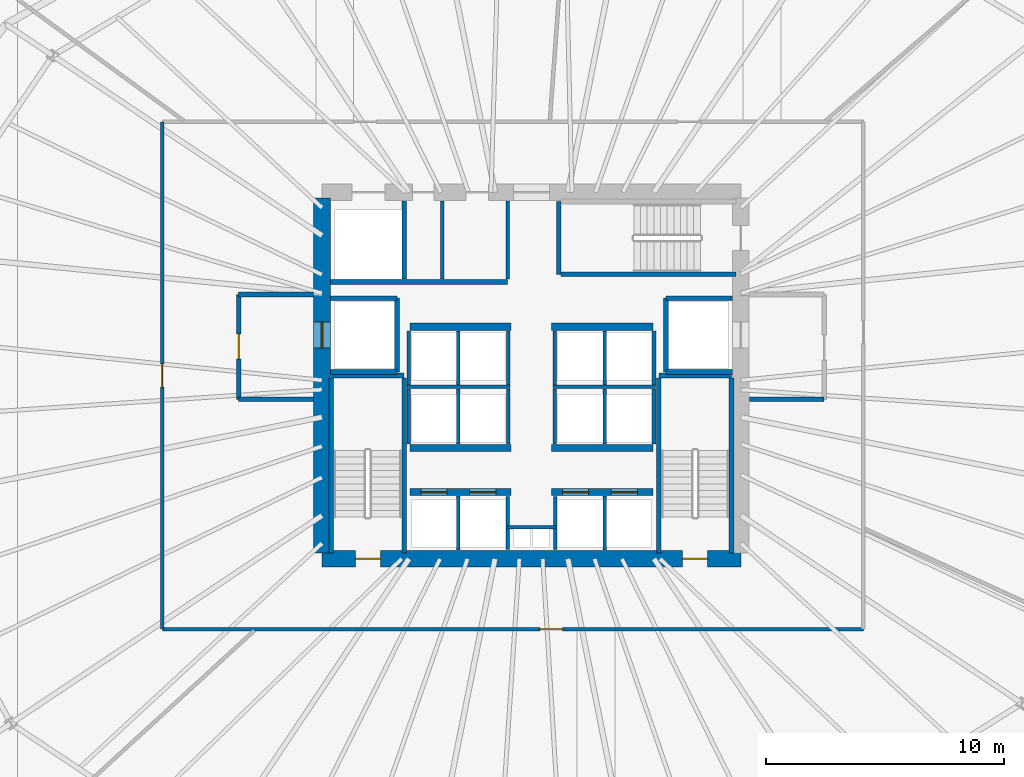
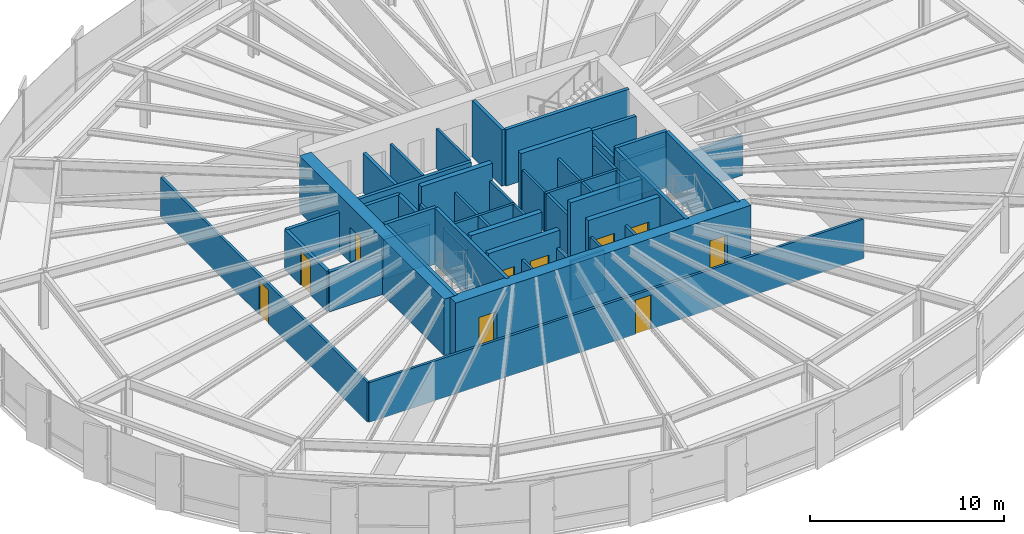
# One storey, part 31 of 38: 51 walls, 10 doors, 10 openings.
"""IFC4 building model written with IfcOpenShell, lengths in metres."""

import ifcopenshell
import ifcopenshell.guid

model = None  # the IFC model being written
_history = None  # IfcOwnerHistory: only IFC2X3 demands one
_inside = {}  # id of a spatial element -> (the spatial element, [elements in it])
_under = {}  # id of a project, library or spatial element -> (it, [spatial elements below it])
_declared = {}  # id of a project -> (the project, [libraries it declares])
_typed = {}  # id of a type object -> (the type object, [elements of that type])
_made_of = {}  # id of a material, layer set ... -> (it, [elements and type objects made of it])


def new_model(schema):
    """Start an empty IFC model of exactly this schema.

    Asked for "IFC4X3", IfcOpenShell would pick the latest addendum, in which some entities
    have other attributes; the version numbers below select the first issue.
    IFC2X3 requires an IfcOwnerHistory on every rooted entity: one is made here for all.
    """
    global model, _history
    if schema == "IFC4X3":
        model = ifcopenshell.file(schema_version=(4, 3, 0, 0))
    else:
        model = ifcopenshell.file(schema=schema)
    _inside.clear()
    _under.clear()
    _declared.clear()
    _typed.clear()
    _made_of.clear()
    _history = None
    if model.schema == "IFC2X3":
        org = make("IfcOrganization", Name="unknown")
        user = make(
            "IfcPersonAndOrganization",
            ThePerson=make("IfcPerson", FamilyName="unknown"),
            TheOrganization=org,
        )
        app = make(
            "IfcApplication",
            ApplicationDeveloper=org,
            Version="unknown",
            ApplicationFullName="unknown",
            ApplicationIdentifier="unknown",
        )
        _history = make(
            "IfcOwnerHistory",
            OwningUser=user,
            OwningApplication=app,
            ChangeAction="ADDED",
            CreationDate=0,
        )
    return model


def make(cls, **values):
    """One entity of the class cls with the attributes given. An attribute that is None is left unset."""
    return model.create_entity(
        cls, **{name: value for name, value in values.items() if value is not None}
    )


def rooted(cls, **values):
    """An entity with a GlobalId (a new one), such as an element, a storey or a relation."""
    return make(cls, GlobalId=ifcopenshell.guid.new(), OwnerHistory=_history, **values)


def si_unit(unit_type, name, prefix=None):
    """IfcSIUnit, for example si_unit("LENGTHUNIT", "METRE", prefix="MILLI")."""
    return make("IfcSIUnit", UnitType=unit_type, Prefix=prefix, Name=name)


def assignment(units):
    """IfcUnitAssignment: the units of a project."""
    return None if units is None else make("IfcUnitAssignment", Units=units)


def point(xyz):
    """IfcCartesianPoint."""
    return None if xyz is None else make("IfcCartesianPoint", Coordinates=xyz)


def direction(xyz):
    """IfcDirection."""
    return None if xyz is None else make("IfcDirection", DirectionRatios=xyz)


def frame(location, z_axis=None, x_axis=None):
    """IfcAxis2Placement3D, a coordinate frame: its origin and axes. An axis left out is left unset."""
    return make(
        "IfcAxis2Placement3D",
        Location=point(location),
        Axis=direction(z_axis),
        RefDirection=direction(x_axis),
    )


def frame_2d(location, x_axis=None):
    """IfcAxis2Placement2D, a coordinate frame in the plane: its origin and x axis."""
    return make(
        "IfcAxis2Placement2D", Location=point(location), RefDirection=direction(x_axis)
    )


def origin():
    """The frame at (0, 0, 0) with its axes left unset."""
    return frame((0.0, 0.0, 0.0))


def place(relative_to, where):
    """IfcLocalPlacement: puts the frame where relative to a parent placement (None: the world)."""
    return make(
        "IfcLocalPlacement", PlacementRelTo=relative_to, RelativePlacement=where
    )


def context(
    kind, dimensions, precision=None, world=None, true_north=None, identifier=None
):
    """IfcGeometricRepresentationContext, for example the 3D "Model" context."""
    return make(
        "IfcGeometricRepresentationContext",
        ContextIdentifier=identifier,
        ContextType=kind,
        CoordinateSpaceDimension=dimensions,
        Precision=precision,
        WorldCoordinateSystem=world,
        TrueNorth=true_north,
    )


def subcontext(parent, identifier, kind, view, scale=None):
    """IfcGeometricRepresentationSubContext, for example "Body" below "Model"."""
    return make(
        "IfcGeometricRepresentationSubContext",
        ContextIdentifier=identifier,
        ContextType=kind,
        ParentContext=parent,
        TargetScale=scale,
        TargetView=view,
    )


def project(units=None, contexts=None):
    """IfcProject with its units and contexts."""
    return rooted(
        "IfcProject",
        Name="project",
        RepresentationContexts=contexts,
        UnitsInContext=assignment(units),
    )


def spatial(cls, under=None, at=None, **own):
    """A site, building, storey or space (cls), placed at a placement, below another one or the project."""
    s = rooted(cls, ObjectPlacement=at, **own)
    if under is not None:
        _under.setdefault(under.id(), (under, []))[1].append(s)
    return s


def profile(cls, at=None, kind="AREA", **sizes):
    """A parametric profile (cls). Its sizes go by their IFC names, for example OverallWidth=200.0."""
    return make(cls, ProfileType=kind, Position=at, **sizes)


def rectangle(**sizes):
    """IfcRectangleProfileDef."""
    return profile("IfcRectangleProfileDef", **sizes)


def extrude(swept, where, along, depth):
    """IfcExtrudedAreaSolid: the profile swept, set in the frame where, extruded along a direction by depth."""
    return make(
        "IfcExtrudedAreaSolid",
        SweptArea=swept,
        Position=where,
        ExtrudedDirection=direction(along),
        Depth=depth,
    )


def shape(context_of_items, identifier, shape_type, items):
    """IfcShapeRepresentation: the items that make up one representation, for example the "Body"."""
    return make(
        "IfcShapeRepresentation",
        ContextOfItems=context_of_items,
        RepresentationIdentifier=identifier,
        RepresentationType=shape_type,
        Items=items,
    )


def source(mapping_origin, context_of_items, identifier, shape_type, items):
    """IfcRepresentationMap: a shape defined once, which mapped items show again and again."""
    return make(
        "IfcRepresentationMap",
        MappingOrigin=mapping_origin,
        MappedRepresentation=shape(context_of_items, identifier, shape_type, items),
    )


def transform(
    local_origin,
    x_axis=None,
    y_axis=None,
    z_axis=None,
    scale=None,
    scale2=None,
    scale3=None,
    uniform=True,
):
    """IfcCartesianTransformationOperator3D, or its non-uniform kind. x_axis, y_axis, z_axis: its Axis1, 2, 3."""
    if uniform:
        return make(
            "IfcCartesianTransformationOperator3D",
            Axis1=direction(x_axis),
            Axis2=direction(y_axis),
            LocalOrigin=point(local_origin),
            Scale=scale,
            Axis3=direction(z_axis),
        )
    return make(
        "IfcCartesianTransformationOperator3DnonUniform",
        Axis1=direction(x_axis),
        Axis2=direction(y_axis),
        LocalOrigin=point(local_origin),
        Scale=scale,
        Axis3=direction(z_axis),
        Scale2=scale2,
        Scale3=scale3,
    )


def mapped(mapping_source, mapping_target):
    """IfcMappedItem: shows the shape of a source again, moved by a transform."""
    return make(
        "IfcMappedItem", MappingSource=mapping_source, MappingTarget=mapping_target
    )


def material(Name=None, Category=None):
    """IfcMaterial."""
    return make("IfcMaterial", Name=Name, Category=Category)


def layer(
    of_material, thickness, ventilated=None, Name=None, Category=None, Priority=None
):
    """IfcMaterialLayer: one layer of a wall or slab, of a material (None: an air gap)."""
    return make(
        "IfcMaterialLayer",
        Material=of_material,
        LayerThickness=thickness,
        IsVentilated=ventilated,
        Name=Name,
        Category=Category,
        Priority=Priority,
    )


def layer_set(layers, Name=None):
    """IfcMaterialLayerSet."""
    return make("IfcMaterialLayerSet", MaterialLayers=layers, LayerSetName=Name)


def made_of(thing, what):
    """Note that an element or type object is made of a material, layer set ...; save() writes the relation."""
    if what is not None:
        _made_of.setdefault(what.id(), (what, []))[1].append(thing)
    return thing


def type_object(cls, material=None, **own):
    """A type object (cls), such as IfcWallType, which elements share."""
    return made_of(rooted(cls, **own), material)


def element(
    cls,
    number,
    at=None,
    inside=None,
    cuts=None,
    type_object=None,
    material=None,
    context=None,
    identifier="Body",
    shape_type=None,
    held_by="IfcProductDefinitionShape",
    body=None,
    shapes=None,
    **own,
):
    """One element of the class cls, such as IfcWall. Its Tag is "e" and its number.

    at: its placement. inside: the storey or other place that contains it. cuts: it is an
    opening in that element (IfcRelVoidsElement). A single representation is given by context,
    identifier, shape_type and body (its items); several are given by shapes. held_by: the class
    of the entity that holds the representations. save() writes the other relations.
    """
    e = rooted(cls, Tag="e%d" % number, ObjectPlacement=at, **own)
    if body is not None:
        shapes = [shape(context, identifier, shape_type, body)]
    if shapes is not None:
        e.Representation = make(held_by, Representations=shapes)
    if inside is not None:
        _inside.setdefault(inside.id(), (inside, []))[1].append(e)
    if cuts is not None:
        rooted(
            "IfcRelVoidsElement", RelatingBuildingElement=cuts, RelatedOpeningElement=e
        )
    if type_object is not None:
        _typed.setdefault(type_object.id(), (type_object, []))[1].append(e)
    return made_of(e, material)


def fill(opening, filler):
    """IfcRelFillsElement: the door or window that sits in an opening."""
    return rooted(
        "IfcRelFillsElement",
        RelatingOpeningElement=opening,
        RelatedBuildingElement=filler,
    )


def aggregate(whole, parts):
    """IfcRelAggregates: a whole, such as a stair, and the parts it consists of."""
    return rooted("IfcRelAggregates", RelatingObject=whole, RelatedObjects=parts)


def save(model, path):
    """Write the relations noted so far, then the file.

    IfcRelAggregates (storeys below a building ...), IfcRelContainedInSpatialStructure (elements
    in a storey), IfcRelDefinesByType, IfcRelAssociatesMaterial and IfcRelDeclares: one each for
    every whole, place, type object, material and project.
    """
    for whole, parts in _under.values():
        aggregate(whole, parts)
    for where, things in _inside.values():
        rooted(
            "IfcRelContainedInSpatialStructure",
            RelatedElements=things,
            RelatingStructure=where,
        )
    for kind, things in _typed.values():
        rooted("IfcRelDefinesByType", RelatedObjects=things, RelatingType=kind)
    for what, things in _made_of.values():
        rooted("IfcRelAssociatesMaterial", RelatedObjects=things, RelatingMaterial=what)
    for by, libraries in _declared.values():
        rooted("IfcRelDeclares", RelatingContext=by, RelatedDefinitions=libraries)
    model.write(path)


model = new_model("IFC4")

# Units and contexts
model_context = context("Model", 3, precision=1e-05, world=origin(), true_north=direction((0.0, 1.0)))
body_context = subcontext(model_context, "Body", "Model", "MODEL_VIEW")
ifc_project = project(units=[si_unit("LENGTHUNIT", "METRE"), si_unit("AREAUNIT", "SQUARE_METRE"), si_unit("VOLUMEUNIT", "CUBIC_METRE"), si_unit("PLANEANGLEUNIT", "RADIAN"), si_unit("MASSUNIT", "GRAM", prefix="KILO"), si_unit("THERMODYNAMICTEMPERATUREUNIT", "KELVIN")], contexts=[model_context])

# Site, building, storey
site_placement = place(None, origin())
site = spatial("IfcSite", under=ifc_project, at=site_placement, CompositionType="ELEMENT")
building_placement = place(site_placement, origin())
building = spatial("IfcBuilding", under=site, at=building_placement, Name="Kethvar Cultural Tower", CompositionType="ELEMENT")
storey_placement = place(building_placement, frame((0.0, 0.0, 63.800048828125)))
storey = spatial("IfcBuildingStorey", under=building, at=storey_placement, Name="L15", CompositionType="ELEMENT", Elevation=63.800048828125)

# Wall, openings, doors
ifc_material_1 = material(Name="Concrete C60/75", Category="concrete")
ifc_layer_1 = layer(ifc_material_1, 0.699951171875, Name="Concrete C60/75", Category="concrete")
ifc_layer_set_1 = layer_set([ifc_layer_1], Name="Concrete C60/75 (700 mm)")
wall_type_1 = type_object("IfcWallType", Name="WL-CORE-700", PredefinedType="SHEAR", material=ifc_layer_set_1)
wall_1_placement = place(storey_placement, frame((38.0, 20.10009765625, 0.0), z_axis=(0.0, 0.0, 1.0), x_axis=(1.0, 0.0, 0.0)))
wall_1 = element("IfcWall", 1, at=wall_1_placement, inside=storey, type_object=wall_type_1, Name="L15 Core Shear Wall S", PredefinedType="SHEAR", context=body_context, shape_type="SweptSolid", body=[
    extrude(rectangle(XDim=17.60009765625, YDim=0.699951171875, at=frame_2d((8.800048828125, 0.0))), origin(), (0.0, 0.0, 1.0), 3.550048828125),
])
opening_1_placement = place(wall_1_placement, frame((1.39990234375, 0.0, 0.0)))
opening_1 = element("IfcOpeningElement", 2, at=opening_1_placement, cuts=wall_1, Name="Opening D-L15-S1", PredefinedType="OPENING", context=body_context, shape_type="SweptSolid", body=[
    extrude(rectangle(XDim=1.050048828125, YDim=2.14990234375, at=frame_2d((0.52490234375, 1.074951171875))), frame((0.0, 0.35986328125, 0.0), z_axis=(0.0, -1.0, 0.0), x_axis=(1.0, 0.0, 0.0)), (0.0, 0.0, 1.0), 0.719970703125),
])
opening_2_placement = place(wall_1_placement, frame((15.14990234375, 0.0, 0.0)))
opening_2 = element("IfcOpeningElement", 3, at=opening_2_placement, cuts=wall_1, Name="Opening D-L15-ST2", PredefinedType="OPENING", context=body_context, shape_type="SweptSolid", body=[
    extrude(rectangle(XDim=1.050048828125, YDim=2.14990234375, at=frame_2d((0.52490234375, 1.074951171875))), frame((0.0, 0.35986328125, 0.0), z_axis=(0.0, -1.0, 0.0), x_axis=(1.0, 0.0, 0.0)), (0.0, 0.0, 1.0), 0.719970703125),
])
ifc_material_2 = material(Name="Steel S355J2", Category="steel")
door_type_1 = type_object("IfcDoorType", Name="DR-FD60-1050", OperationType="NOTDEFINED", PredefinedType="DOOR", material=ifc_material_2)
shared_shape_1 = source(origin(), body_context, "Body", "SweptSolid", [
    extrude(rectangle(XDim=1.050048828125, YDim=2.14990234375, at=frame_2d((0.52490234375, 1.074951171875))), frame((0.0, 0.02490234375, 0.0), z_axis=(0.0, -1.0, 0.0), x_axis=(1.0, 0.0, 0.0)), (0.0, 0.0, 1.0), 0.050048828125),
])
door_1_placement = place(opening_1_placement, origin())
door_1 = element("IfcDoor", 4, at=door_1_placement, inside=storey, type_object=door_type_1, Name="L15 Exit Stair 1 Door", OperationType="SINGLE_SWING_LEFT", OverallHeight=2.14990234375, OverallWidth=1.050048828125, PredefinedType="DOOR", context=body_context, shape_type="MappedRepresentation", body=[
    mapped(shared_shape_1, transform((0.0, 0.0, 0.0), scale=1.0)),
])
fill(opening_1, door_1)
door_2_placement = place(opening_2_placement, origin())
door_2 = element("IfcDoor", 5, at=door_2_placement, inside=storey, type_object=door_type_1, Name="L15 Exit Stair 2 Door", OperationType="SINGLE_SWING_RIGHT", OverallHeight=2.14990234375, OverallWidth=1.050048828125, PredefinedType="DOOR", context=body_context, shape_type="MappedRepresentation", body=[
    mapped(shared_shape_1, transform((0.0, 0.0, 0.0), scale=1.0)),
])
fill(opening_2, door_2)

# Wall, opening, door
wall_2_placement = place(storey_placement, frame((38.0, 35.260009765625, 0.0), z_axis=(0.0, 0.0, 1.0), x_axis=(0.0, -1.0, 0.0)))
wall_2 = element("IfcWall", 6, at=wall_2_placement, inside=storey, type_object=wall_type_1, Name="L15 Core Shear Wall W", PredefinedType="SHEAR", context=body_context, shape_type="SweptSolid", body=[
    extrude(rectangle(XDim=14.919921875, YDim=0.699951171875, at=frame_2d((7.4599609375, 0.0))), origin(), (0.0, 0.0, 1.0), 3.550048828125),
])
opening_3_placement = place(wall_2_placement, frame((5.2099609375, 0.0, 0.0)))
opening_3 = element("IfcOpeningElement", 7, at=opening_3_placement, cuts=wall_2, Name="Opening LD-1", PredefinedType="OPENING", context=body_context, shape_type="SweptSolid", body=[
    extrude(rectangle(XDim=1.10009765625, YDim=2.199951171875, at=frame_2d((0.550048828125, 1.10009765625))), frame((0.0, 0.35986328125, 0.0), z_axis=(0.0, -1.0, 0.0), x_axis=(1.0, 0.0, 0.0)), (0.0, 0.0, 1.0), 0.719970703125),
])
door_type_2 = type_object("IfcDoorType", Name="DR-LIFT-SLIDE-1100", OperationType="NOTDEFINED", PredefinedType="DOOR", material=ifc_material_2)
shared_shape_2 = source(origin(), body_context, "Body", "SweptSolid", [
    extrude(rectangle(XDim=1.10009765625, YDim=2.199951171875, at=frame_2d((0.550048828125, 1.10009765625))), frame((0.0, 0.02490234375, 0.0), z_axis=(0.0, -1.0, 0.0), x_axis=(1.0, 0.0, 0.0)), (0.0, 0.0, 1.0), 0.050048828125),
])
door_3_placement = place(opening_3_placement, origin())
door_3 = element("IfcDoor", 8, at=door_3_placement, inside=storey, type_object=door_type_2, Name="L15 Firefighting Lift Landing Door FFL-01", OperationType="SLIDING_TO_LEFT", OverallHeight=2.199951171875, OverallWidth=1.10009765625, PredefinedType="DOOR", context=body_context, shape_type="MappedRepresentation", body=[
    mapped(shared_shape_2, transform((0.0, 0.0, 0.0), scale=1.0)),
])
fill(opening_3, door_3)

# Walls
ifc_material_3 = material(Name="Gypsum Fireboard Partition")
ifc_layer_2 = layer(ifc_material_3, 0.14990234375, Name="Gypsum Fireboard Partition")
ifc_layer_set_2 = layer_set([ifc_layer_2], Name="Gypsum Fireboard Partition (150 mm)")
wall_type_2 = type_object("IfcWallType", Name="WL-FIRE-150", PredefinedType="PARTITIONING", material=ifc_layer_set_2)
wall_3_placement = place(storey_placement, frame((45.800048828125, 21.419921875, 0.0), z_axis=(0.0, 0.0, 1.0), x_axis=(1.0, 0.0, 0.0)))
element("IfcWall", 9, at=wall_3_placement, inside=storey, type_object=wall_type_2, Name="L15 Core Riser Wall", PredefinedType="PARTITIONING", context=body_context, shape_type="SweptSolid", body=[
    extrude(rectangle(XDim=2.0, YDim=0.14990234375, at=frame_2d((1.0, 0.0))), origin(), (0.0, 0.0, 1.0), 2.5048828125),
])
for number, where, z_axis, x_axis, name in (
    (10, (45.800048828125, 20.47998046875, 0.0), (0.0, 0.0, 1.0), (0.0, 1.0, 0.0), "L15 Core Riser West Wall"),
    (11, (47.800048828125, 20.47998046875, 0.0), (0.0, 0.0, 1.0), (0.0, 1.0, 0.0), "L15 Core Riser East Wall"),
):
    element("IfcWall", number, at=place(storey_placement, frame(where, z_axis=z_axis, x_axis=x_axis)), inside=storey, type_object=wall_type_2, Name=name, PredefinedType="PARTITIONING", context=body_context, shape_type="SweptSolid", body=[
        extrude(rectangle(XDim=2.239990234375, YDim=0.14990234375, at=frame_2d((1.1201171875, 0.0))), origin(), (0.0, 0.0, 1.0), 2.5048828125),
    ])
for number, where, z_axis, x_axis, name in (
    (12, (43.72509765625, 20.4599609375, 0.0), (0.0, 0.0, 1.0), (0.0, 1.0, 0.0), "L15 Low-Rise Lift Shaft Divider W"),
    (13, (49.875, 20.4599609375, 0.0), (0.0, 0.0, 1.0), (0.0, 1.0, 0.0), "L15 Low-Rise Lift Shaft Divider E"),
):
    element("IfcWall", number, at=place(storey_placement, frame(where, z_axis=z_axis, x_axis=x_axis)), inside=storey, type_object=wall_type_2, Name=name, PredefinedType="PARTITIONING", context=body_context, shape_type="SweptSolid", body=[
        extrude(rectangle(XDim=2.27001953125, YDim=0.14990234375, at=frame_2d((1.135009765625, 0.0))), origin(), (0.0, 0.0, 1.0), 2.5048828125),
    ])
wall_4_placement = place(storey_placement, frame((41.580078125, 27.324951171875, 0.0), z_axis=(0.0, 0.0, 1.0), x_axis=(1.0, 0.0, 0.0)))
element("IfcWall", 14, at=wall_4_placement, inside=storey, type_object=wall_type_2, Name="L15 Mid-High Lift Shaft Back Wall W", PredefinedType="PARTITIONING", context=body_context, shape_type="SweptSolid", body=[
    extrude(rectangle(XDim=4.31982421875, YDim=0.14990234375, at=frame_2d((2.159912109375, 0.0))), origin(), (0.0, 0.0, 1.0), 2.5048828125),
])
wall_5_placement = place(storey_placement, frame((47.699951171875, 27.324951171875, 0.0), z_axis=(0.0, 0.0, 1.0), x_axis=(1.0, 0.0, 0.0)))
element("IfcWall", 15, at=wall_5_placement, inside=storey, type_object=wall_type_2, Name="L15 Mid-High Lift Shaft Back Wall E", PredefinedType="PARTITIONING", context=body_context, shape_type="SweptSolid", body=[
    extrude(rectangle(XDim=4.320068359375, YDim=0.14990234375, at=frame_2d((2.16015625, 0.0))), origin(), (0.0, 0.0, 1.0), 2.5048828125),
])
for number, where, z_axis, x_axis, name in (
    (16, (41.64990234375, 24.919921875, 0.0), (0.0, 0.0, 1.0), (0.0, 1.0, 0.0), "L15 Mid-Rise Lift Shaft Outer Wall W"),
    (17, (43.72509765625, 24.919921875, 0.0), (0.0, 0.0, 1.0), (0.0, 1.0, 0.0), "L15 Mid-Rise Lift Shaft Divider W"),
    (18, (45.824951171875, 24.919921875, 0.0), (0.0, 0.0, 1.0), (0.0, 1.0, 0.0), "L15 Mid-Rise Lift Shaft Concourse Wall W"),
    (19, (47.77490234375, 24.919921875, 0.0), (0.0, 0.0, 1.0), (0.0, 1.0, 0.0), "L15 Mid-Rise Lift Shaft Concourse Wall E"),
    (20, (49.875, 24.919921875, 0.0), (0.0, 0.0, 1.0), (0.0, 1.0, 0.0), "L15 Mid-Rise Lift Shaft Divider E"),
    (21, (51.949951171875, 24.919921875, 0.0), (0.0, 0.0, 1.0), (0.0, 1.0, 0.0), "L15 Mid-Rise Lift Shaft Outer Wall E"),
):
    element("IfcWall", number, at=place(storey_placement, frame(where, z_axis=z_axis, x_axis=x_axis)), inside=storey, type_object=wall_type_2, Name=name, PredefinedType="PARTITIONING", context=body_context, shape_type="SweptSolid", body=[
        extrude(rectangle(XDim=2.320068359375, YDim=0.14990234375, at=frame_2d((1.16015625, 0.0))), origin(), (0.0, 0.0, 1.0), 2.5048828125),
    ])
for number, where, z_axis, x_axis, name in (
    (22, (41.64990234375, 27.409912109375, 0.0), (0.0, 0.0, 1.0), (0.0, 1.0, 0.0), "L15 High-Rise Lift Shaft Outer Wall W"),
    (23, (43.72509765625, 27.409912109375, 0.0), (0.0, 0.0, 1.0), (0.0, 1.0, 0.0), "L15 High-Rise Lift Shaft Divider W"),
    (24, (45.824951171875, 27.409912109375, 0.0), (0.0, 0.0, 1.0), (0.0, 1.0, 0.0), "L15 High-Rise Lift Shaft Concourse Wall W"),
    (25, (47.77490234375, 27.409912109375, 0.0), (0.0, 0.0, 1.0), (0.0, 1.0, 0.0), "L15 High-Rise Lift Shaft Concourse Wall E"),
    (26, (49.875, 27.409912109375, 0.0), (0.0, 0.0, 1.0), (0.0, 1.0, 0.0), "L15 High-Rise Lift Shaft Divider E"),
    (27, (51.949951171875, 27.409912109375, 0.0), (0.0, 0.0, 1.0), (0.0, 1.0, 0.0), "L15 High-Rise Lift Shaft Outer Wall E"),
):
    element("IfcWall", number, at=place(storey_placement, frame(where, z_axis=z_axis, x_axis=x_axis)), inside=storey, type_object=wall_type_2, Name=name, PredefinedType="PARTITIONING", context=body_context, shape_type="SweptSolid", body=[
        extrude(rectangle(XDim=2.27001953125, YDim=0.14990234375, at=frame_2d((1.135009765625, 0.0))), origin(), (0.0, 0.0, 1.0), 2.5048828125),
    ])
wall_6_placement = place(storey_placement, frame((45.800048828125, 31.85009765625, 0.0), z_axis=(0.0, 0.0, 1.0), x_axis=(0.0, 1.0, 0.0)))
element("IfcWall", 28, at=wall_6_placement, inside=storey, type_object=wall_type_2, Name="L15 Sanitary Spine Wall", PredefinedType="PARTITIONING", context=body_context, shape_type="SweptSolid", body=[
    extrude(rectangle(XDim=3.289794921875, YDim=0.14990234375, at=frame_2d((1.64501953125, 0.0))), origin(), (0.0, 0.0, 1.0), 2.5048828125),
])

# Wall, opening, door
wall_7_placement = place(storey_placement, frame((31.2900390625, 17.139892578125, 0.0), z_axis=(0.0, 0.0, 1.0), x_axis=(1.0, 0.0, 0.0)))
wall_7 = element("IfcWall", 29, at=wall_7_placement, inside=storey, type_object=wall_type_2, Name="L15 Corridor Rated Wall S", PredefinedType="PARTITIONING", context=body_context, shape_type="SweptSolid", body=[
    extrude(rectangle(XDim=29.4599609375, YDim=0.14990234375, at=frame_2d((14.72998046875, 0.0))), origin(), (0.0, 0.0, 1.0), 2.5048828125),
])
opening_4_placement = place(wall_7_placement, frame((15.861572265625, 0.0, 0.0)))
opening_4 = element("IfcOpeningElement", 30, at=opening_4_placement, cuts=wall_7, Name="Opening D-L15-01", PredefinedType="OPENING", context=body_context, shape_type="SweptSolid", body=[
    extrude(rectangle(XDim=0.949951171875, YDim=2.14990234375, at=frame_2d((0.47509765625, 1.074951171875))), frame((0.0, 0.0849609375, 0.0), z_axis=(0.0, -1.0, 0.0), x_axis=(1.0, 0.0, 0.0)), (0.0, 0.0, 1.0), 0.169921875),
])
ifc_material_4 = material(Name="Architectural Oak Timber", Category="wood")
door_type_3 = type_object("IfcDoorType", Name="DR-FD30-950", OperationType="NOTDEFINED", PredefinedType="DOOR", material=ifc_material_4)
shared_shape_3 = source(origin(), body_context, "Body", "SweptSolid", [
    extrude(rectangle(XDim=0.949951171875, YDim=2.14990234375, at=frame_2d((0.47509765625, 1.074951171875))), frame((0.0, 0.02490234375, 0.0), z_axis=(0.0, -1.0, 0.0), x_axis=(1.0, 0.0, 0.0)), (0.0, 0.0, 1.0), 0.050048828125),
])
door_4_placement = place(opening_4_placement, origin())
door_4 = element("IfcDoor", 31, at=door_4_placement, inside=storey, type_object=door_type_3, Name="L15 Members' Dining Lounge 01 Door", OperationType="SINGLE_SWING_RIGHT", OverallHeight=2.14990234375, OverallWidth=0.949951171875, PredefinedType="DOOR", context=body_context, shape_type="MappedRepresentation", body=[
    mapped(shared_shape_3, transform((0.0, 0.0, 0.0), scale=1.0)),
])
fill(opening_4, door_4)

wall_8_placement = place(storey_placement, frame((31.2900390625, 38.4599609375, 0.0), z_axis=(0.0, 0.0, 1.0), x_axis=(0.0, -1.0, 0.0)))
wall_8 = element("IfcWall", 32, at=wall_8_placement, inside=storey, type_object=wall_type_2, Name="L15 Corridor Rated Wall W", PredefinedType="PARTITIONING", context=body_context, shape_type="SweptSolid", body=[
    extrude(rectangle(XDim=21.320068359375, YDim=0.14990234375, at=frame_2d((10.66015625, 0.0))), origin(), (0.0, 0.0, 1.0), 2.5048828125),
])
opening_5_placement = place(wall_8_placement, frame((10.18505859375, 0.0, 0.0)))
opening_5 = element("IfcOpeningElement", 33, at=opening_5_placement, cuts=wall_8, Name="Opening D-L15-05", PredefinedType="OPENING", context=body_context, shape_type="SweptSolid", body=[
    extrude(rectangle(XDim=0.949951171875, YDim=2.14990234375, at=frame_2d((0.47509765625, 1.074951171875))), frame((0.0, 0.0849609375, 0.0), z_axis=(0.0, -1.0, 0.0), x_axis=(1.0, 0.0, 0.0)), (0.0, 0.0, 1.0), 0.169921875),
])
door_5_placement = place(opening_5_placement, origin())
door_5 = element("IfcDoor", 34, at=door_5_placement, inside=storey, type_object=door_type_3, Name="L15 Laboratory Tea Pantry 05 Door", OperationType="SINGLE_SWING_RIGHT", OverallHeight=2.14990234375, OverallWidth=0.949951171875, PredefinedType="DOOR", context=body_context, shape_type="MappedRepresentation", body=[
    mapped(shared_shape_3, transform((0.0, 0.0, 0.0), scale=1.0)),
])
fill(opening_5, door_5)

# Walls
ifc_material_5 = material(Name="Concrete C40/50", Category="concrete")
ifc_layer_3 = layer(ifc_material_5, 0.199951171875, Name="Concrete C40/50", Category="concrete")
ifc_layer_set_3 = layer_set([ifc_layer_3], Name="Concrete C40/50 (200 mm)")
wall_type_3 = type_object("IfcWallType", Name="WL-FIRE-200", PredefinedType="PARTITIONING", material=ifc_layer_set_3)
wall_9_placement = place(storey_placement, frame((41.14990234375, 27.949951171875, 0.0), z_axis=(0.0, 0.0, 1.0), x_axis=(0.0, 1.0, 0.0)))
element("IfcWall", 35, at=wall_9_placement, inside=storey, type_object=wall_type_3, Name="L15 FFL-01 Shaft Inner Wall", PredefinedType="PARTITIONING", context=body_context, shape_type="SweptSolid", body=[
    extrude(rectangle(XDim=3.10009765625, YDim=0.199951171875, at=frame_2d((1.550048828125, 0.0))), origin(), (0.0, 0.0, 1.0), 2.5048828125),
])
for number, where, z_axis, x_axis, name in (
    (36, (38.360107421875, 27.949951171875, 0.0), (0.0, 0.0, 1.0), (1.0, 0.0, 0.0), "L15 FFL-01 Shaft South Wall"),
    (37, (38.360107421875, 31.050048828125, 0.0), (0.0, 0.0, 1.0), (1.0, 0.0, 0.0), "L15 FFL-01 Shaft North Wall"),
):
    element("IfcWall", number, at=place(storey_placement, frame(where, z_axis=z_axis, x_axis=x_axis)), inside=storey, type_object=wall_type_3, Name=name, PredefinedType="PARTITIONING", context=body_context, shape_type="SweptSolid", body=[
        extrude(rectangle(XDim=2.789794921875, YDim=0.199951171875, at=frame_2d((1.39501953125, 0.0))), origin(), (0.0, 0.0, 1.0), 2.5048828125),
    ])

# Wall, opening, door
wall_10_placement = place(storey_placement, frame((34.5, 31.199951171875, 0.0), z_axis=(0.0, 0.0, 1.0), x_axis=(0.0, -1.0, 0.0)))
wall_10 = element("IfcWall", 38, at=wall_10_placement, inside=storey, type_object=wall_type_3, Name="L15 Firefighting Lobby 1 Wall", PredefinedType="PARTITIONING", context=body_context, shape_type="SweptSolid", body=[
    extrude(rectangle(XDim=4.39990234375, YDim=0.199951171875, at=frame_2d((2.199951171875, 0.0))), origin(), (0.0, 0.0, 1.0), 2.5048828125),
])
opening_6_placement = place(wall_10_placement, frame((1.64990234375, 0.0, 0.0)))
opening_6 = element("IfcOpeningElement", 39, at=opening_6_placement, cuts=wall_10, Name="Opening D-L15-F1", PredefinedType="OPENING", context=body_context, shape_type="SweptSolid", body=[
    extrude(rectangle(XDim=1.050048828125, YDim=2.14990234375, at=frame_2d((0.52490234375, 1.074951171875))), frame((0.0, 0.10986328125, 0.0), z_axis=(0.0, -1.0, 0.0), x_axis=(1.0, 0.0, 0.0)), (0.0, 0.0, 1.0), 0.219970703125),
])
door_6_placement = place(opening_6_placement, origin())
door_6 = element("IfcDoor", 40, at=door_6_placement, inside=storey, type_object=door_type_1, Name="L15 Firefighting Lobby 1 Fire Door", OperationType="SINGLE_SWING_LEFT", OverallHeight=2.14990234375, OverallWidth=1.050048828125, PredefinedType="DOOR", context=body_context, shape_type="MappedRepresentation", body=[
    mapped(shared_shape_1, transform((0.0, 0.0, 0.0), scale=1.0)),
])
fill(opening_6, door_6)

# Walls
for number, where, z_axis, x_axis, name in (
    (41, (34.5, 26.800048828125, 0.0), (0.0, 0.0, 1.0), (1.0, 0.0, 0.0), "L15 FF Lobby 1 South Wall"),
    (42, (34.5, 31.199951171875, 0.0), (0.0, 0.0, 1.0), (1.0, 0.0, 0.0), "L15 FF Lobby 1 North Wall"),
):
    element("IfcWall", number, at=place(storey_placement, frame(where, z_axis=z_axis, x_axis=x_axis)), inside=storey, type_object=wall_type_3, Name=name, PredefinedType="PARTITIONING", context=body_context, shape_type="SweptSolid", body=[
        extrude(rectangle(XDim=3.139892578125, YDim=0.199951171875, at=frame_2d((1.56982421875, 0.0))), origin(), (0.0, 0.0, 1.0), 2.5048828125),
    ])
wall_11_placement = place(storey_placement, frame((52.449951171875, 27.949951171875, 0.0), z_axis=(0.0, 0.0, 1.0), x_axis=(0.0, 1.0, 0.0)))
element("IfcWall", 43, at=wall_11_placement, inside=storey, type_object=wall_type_3, Name="L15 FFL-02 Shaft Inner Wall", PredefinedType="PARTITIONING", context=body_context, shape_type="SweptSolid", body=[
    extrude(rectangle(XDim=3.10009765625, YDim=0.199951171875, at=frame_2d((1.550048828125, 0.0))), origin(), (0.0, 0.0, 1.0), 2.5048828125),
])
for number, where, z_axis, x_axis, name in (
    (44, (52.449951171875, 27.949951171875, 0.0), (0.0, 0.0, 1.0), (1.0, 0.0, 0.0), "L15 FFL-02 Shaft South Wall"),
    (45, (52.449951171875, 31.050048828125, 0.0), (0.0, 0.0, 1.0), (1.0, 0.0, 0.0), "L15 FFL-02 Shaft North Wall"),
):
    element("IfcWall", number, at=place(storey_placement, frame(where, z_axis=z_axis, x_axis=x_axis)), inside=storey, type_object=wall_type_3, Name=name, PredefinedType="PARTITIONING", context=body_context, shape_type="SweptSolid", body=[
        extrude(rectangle(XDim=2.7900390625, YDim=0.199951171875, at=frame_2d((1.39501953125, 0.0))), origin(), (0.0, 0.0, 1.0), 2.5048828125),
    ])
wall_12_placement = place(storey_placement, frame((55.9599609375, 26.800048828125, 0.0), z_axis=(0.0, 0.0, 1.0), x_axis=(1.0, 0.0, 0.0)))
element("IfcWall", 46, at=wall_12_placement, inside=storey, type_object=wall_type_3, Name="L15 FF Lobby 2 South Wall", PredefinedType="PARTITIONING", context=body_context, shape_type="SweptSolid", body=[
    extrude(rectangle(XDim=3.14013671875, YDim=0.199951171875, at=frame_2d((1.570068359375, 0.0))), origin(), (0.0, 0.0, 1.0), 2.5048828125),
])
wall_13_placement = place(storey_placement, frame((41.449951171875, 31.85009765625, 0.0), z_axis=(0.0, 0.0, 1.0), x_axis=(0.0, 1.0, 0.0)))
element("IfcWall", 47, at=wall_13_placement, inside=storey, type_object=wall_type_3, Name="L15 NW Core Pocket Wall", PredefinedType="PARTITIONING", context=body_context, shape_type="SweptSolid", body=[
    extrude(rectangle(XDim=3.289794921875, YDim=0.199951171875, at=frame_2d((1.64501953125, 0.0))), origin(), (0.0, 0.0, 1.0), 2.5048828125),
])
wall_14_placement = place(storey_placement, frame((38.360107421875, 31.72998046875, 0.0), z_axis=(0.0, 0.0, 1.0), x_axis=(1.0, 0.0, 0.0)))
element("IfcWall", 48, at=wall_14_placement, inside=storey, type_object=wall_type_3, Name="L15 North Core Sanitary South Wall", PredefinedType="PARTITIONING", context=body_context, shape_type="SweptSolid", body=[
    extrude(rectangle(XDim=7.43994140625, YDim=0.199951171875, at=frame_2d((3.719970703125, 0.0))), origin(), (0.0, 0.0, 1.0), 2.5048828125),
])
ifc_material_6 = material(Name="Moisture-Resistant Sanitary Chase Wall")
ifc_layer_4 = layer(ifc_material_6, 0.14990234375, Name="Moisture-Resistant Sanitary Chase Wall")
ifc_layer_set_4 = layer_set([ifc_layer_4], Name="Moisture-Resistant Sanitary Chase Wall (150 mm)")
wall_type_4 = type_object("IfcWallType", Name="WL-PLUMB-150", PredefinedType="PLUMBINGWALL", material=ifc_layer_set_4)
wall_15_placement = place(storey_placement, frame((43.050048828125, 31.85009765625, 0.0), z_axis=(0.0, 0.0, 1.0), x_axis=(0.0, 1.0, 0.0)))
element("IfcWall", 49, at=wall_15_placement, inside=storey, type_object=wall_type_4, Name="L15 Sanitary Plumbing Wall", PredefinedType="PLUMBINGWALL", context=body_context, shape_type="SweptSolid", body=[
    extrude(rectangle(XDim=3.289794921875, YDim=0.14990234375, at=frame_2d((1.64501953125, 0.0))), origin(), (0.0, 0.0, 1.0), 2.5048828125),
])

# Wall, openings, doors
ifc_material_7 = material(Name="Concrete C50/60", Category="concrete")
ifc_layer_5 = layer(ifc_material_7, 0.300048828125, Name="Concrete C50/60", Category="concrete")
ifc_layer_set_5 = layer_set([ifc_layer_5], Name="Concrete C50/60 (300 mm)")
wall_type_5 = type_object("IfcWallType", Name="WL-SHAFT-300", PredefinedType="SHEAR", material=ifc_layer_set_5)
wall_16_placement = place(storey_placement, frame((41.699951171875, 22.89990234375, 0.0), z_axis=(0.0, 0.0, 1.0), x_axis=(1.0, 0.0, 0.0)))
wall_16 = element("IfcWall", 50, at=wall_16_placement, inside=storey, type_object=wall_type_5, Name="L15 Core Lift Spine Wall MID1W", PredefinedType="SHEAR", context=body_context, shape_type="SweptSolid", body=[
    extrude(rectangle(XDim=4.25, YDim=0.300048828125, at=frame_2d((2.125, 0.0))), origin(), (0.0, 0.0, 1.0), 3.550048828125),
])
opening_7_placement = place(wall_16_placement, frame((0.449951171875, 0.0, 0.0)))
opening_7 = element("IfcOpeningElement", 51, at=opening_7_placement, cuts=wall_16, Name="Opening LD-L1", PredefinedType="OPENING", context=body_context, shape_type="SweptSolid", body=[
    extrude(rectangle(XDim=1.10009765625, YDim=2.199951171875, at=frame_2d((0.550048828125, 1.10009765625))), frame((0.0, 0.159912109375, 0.0), z_axis=(0.0, -1.0, 0.0), x_axis=(1.0, 0.0, 0.0)), (0.0, 0.0, 1.0), 0.320068359375),
])
opening_8_placement = place(wall_16_placement, frame((2.5, 0.0, 0.0)))
opening_8 = element("IfcOpeningElement", 52, at=opening_8_placement, cuts=wall_16, Name="Opening LD-L2", PredefinedType="OPENING", context=body_context, shape_type="SweptSolid", body=[
    extrude(rectangle(XDim=1.10009765625, YDim=2.199951171875, at=frame_2d((0.550048828125, 1.10009765625))), frame((0.0, 0.159912109375, 0.0), z_axis=(0.0, -1.0, 0.0), x_axis=(1.0, 0.0, 0.0)), (0.0, 0.0, 1.0), 0.320068359375),
])
door_7_placement = place(opening_7_placement, origin())
door_7 = element("IfcDoor", 53, at=door_7_placement, inside=storey, type_object=door_type_2, Name="L15 Low-Rise Lift Landing Door L1", OperationType="SLIDING_TO_LEFT", OverallHeight=2.199951171875, OverallWidth=1.10009765625, PredefinedType="DOOR", context=body_context, shape_type="MappedRepresentation", body=[
    mapped(shared_shape_2, transform((0.0, 0.0, 0.0), scale=1.0)),
])
fill(opening_7, door_7)
door_8_placement = place(opening_8_placement, origin())
door_8 = element("IfcDoor", 54, at=door_8_placement, inside=storey, type_object=door_type_2, Name="L15 Low-Rise Lift Landing Door L2", OperationType="SLIDING_TO_LEFT", OverallHeight=2.199951171875, OverallWidth=1.10009765625, PredefinedType="DOOR", context=body_context, shape_type="MappedRepresentation", body=[
    mapped(shared_shape_2, transform((0.0, 0.0, 0.0), scale=1.0)),
])
fill(opening_8, door_8)

wall_17_placement = place(storey_placement, frame((47.64990234375, 22.89990234375, 0.0), z_axis=(0.0, 0.0, 1.0), x_axis=(1.0, 0.0, 0.0)))
wall_17 = element("IfcWall", 55, at=wall_17_placement, inside=storey, type_object=wall_type_5, Name="L15 Core Lift Spine Wall MID1E", PredefinedType="SHEAR", context=body_context, shape_type="SweptSolid", body=[
    extrude(rectangle(XDim=4.25, YDim=0.300048828125, at=frame_2d((2.125, 0.0))), origin(), (0.0, 0.0, 1.0), 3.550048828125),
])
opening_9_placement = place(wall_17_placement, frame((0.449951171875, 0.0, 0.0)))
opening_9 = element("IfcOpeningElement", 56, at=opening_9_placement, cuts=wall_17, Name="Opening LD-L3", PredefinedType="OPENING", context=body_context, shape_type="SweptSolid", body=[
    extrude(rectangle(XDim=1.10009765625, YDim=2.199951171875, at=frame_2d((0.550048828125, 1.10009765625))), frame((0.0, 0.159912109375, 0.0), z_axis=(0.0, -1.0, 0.0), x_axis=(1.0, 0.0, 0.0)), (0.0, 0.0, 1.0), 0.320068359375),
])
opening_10_placement = place(wall_17_placement, frame((2.5, 0.0, 0.0)))
opening_10 = element("IfcOpeningElement", 57, at=opening_10_placement, cuts=wall_17, Name="Opening LD-L4", PredefinedType="OPENING", context=body_context, shape_type="SweptSolid", body=[
    extrude(rectangle(XDim=1.10009765625, YDim=2.199951171875, at=frame_2d((0.550048828125, 1.10009765625))), frame((0.0, 0.159912109375, 0.0), z_axis=(0.0, -1.0, 0.0), x_axis=(1.0, 0.0, 0.0)), (0.0, 0.0, 1.0), 0.320068359375),
])
door_9_placement = place(opening_9_placement, origin())
door_9 = element("IfcDoor", 58, at=door_9_placement, inside=storey, type_object=door_type_2, Name="L15 Low-Rise Lift Landing Door L3", OperationType="SLIDING_TO_LEFT", OverallHeight=2.199951171875, OverallWidth=1.10009765625, PredefinedType="DOOR", context=body_context, shape_type="MappedRepresentation", body=[
    mapped(shared_shape_2, transform((0.0, 0.0, 0.0), scale=1.0)),
])
fill(opening_9, door_9)
door_10_placement = place(opening_10_placement, origin())
door_10 = element("IfcDoor", 59, at=door_10_placement, inside=storey, type_object=door_type_2, Name="L15 Low-Rise Lift Landing Door L4", OperationType="SLIDING_TO_LEFT", OverallHeight=2.199951171875, OverallWidth=1.10009765625, PredefinedType="DOOR", context=body_context, shape_type="MappedRepresentation", body=[
    mapped(shared_shape_2, transform((0.0, 0.0, 0.0), scale=1.0)),
])
fill(opening_10, door_10)

# Walls
for number, where, z_axis, x_axis, name in (
    (60, (41.699951171875, 24.75, 0.0), (0.0, 0.0, 1.0), (1.0, 0.0, 0.0), "L15 Core Lift Spine Wall MID2W"),
    (61, (47.64990234375, 24.75, 0.0), (0.0, 0.0, 1.0), (1.0, 0.0, 0.0), "L15 Core Lift Spine Wall MID2E"),
    (62, (41.699951171875, 29.85009765625, 0.0), (0.0, 0.0, 1.0), (1.0, 0.0, 0.0), "L15 Core Lift Spine Wall MID3W"),
    (63, (47.64990234375, 29.85009765625, 0.0), (0.0, 0.0, 1.0), (1.0, 0.0, 0.0), "L15 Core Lift Spine Wall MID3E"),
):
    element("IfcWall", number, at=place(storey_placement, frame(where, z_axis=z_axis, x_axis=x_axis)), inside=storey, type_object=wall_type_5, Name=name, PredefinedType="SHEAR", context=body_context, shape_type="SweptSolid", body=[
        extrude(rectangle(XDim=4.25, YDim=0.300048828125, at=frame_2d((2.125, 0.0))), origin(), (0.0, 0.0, 1.0), 3.550048828125),
    ])
ifc_layer_6 = layer(ifc_material_7, 0.199951171875, Name="Concrete C50/60", Category="concrete")
ifc_layer_set_6 = layer_set([ifc_layer_6], Name="Concrete C50/60 (200 mm)")
wall_type_6 = type_object("IfcWallType", Name="WL-STSHAFT-200", PredefinedType="SHEAR", material=ifc_layer_set_6)
wall_18_placement = place(storey_placement, frame((38.389892578125, 27.800048828125, 0.0), z_axis=(0.0, 0.0, 1.0), x_axis=(1.0, 0.0, 0.0)))
element("IfcWall", 64, at=wall_18_placement, inside=storey, type_object=wall_type_6, Name="L15 ST-01 Stair Shaft Wall FAR", PredefinedType="SHEAR", context=body_context, shape_type="SweptSolid", body=[
    extrude(rectangle(XDim=3.06005859375, YDim=0.199951171875, at=frame_2d((1.530029296875, 0.0))), origin(), (0.0, 0.0, 1.0), 3.550048828125),
])
for number, where, z_axis, x_axis, name in (
    (65, (41.449951171875, 27.699951171875, 0.0), (0.0, 0.0, 1.0), (0.0, -1.0, 0.0), "L15 ST-01 Stair Shaft Wall LEFT"),
    (66, (38.389892578125, 20.35009765625, 0.0), (0.0, 0.0, 1.0), (0.0, 1.0, 0.0), "L15 ST-01 Stair Shaft Wall RIGHT"),
):
    element("IfcWall", number, at=place(storey_placement, frame(where, z_axis=z_axis, x_axis=x_axis)), inside=storey, type_object=wall_type_6, Name=name, PredefinedType="SHEAR", context=body_context, shape_type="SweptSolid", body=[
        extrude(rectangle(XDim=7.349853515625, YDim=0.199951171875, at=frame_2d((3.6748046875, 0.0))), origin(), (0.0, 0.0, 1.0), 3.550048828125),
    ])
wall_19_placement = place(storey_placement, frame((52.14990234375, 27.800048828125, 0.0), z_axis=(0.0, 0.0, 1.0), x_axis=(1.0, 0.0, 0.0)))
element("IfcWall", 67, at=wall_19_placement, inside=storey, type_object=wall_type_6, Name="L15 ST-02 Stair Shaft Wall FAR", PredefinedType="SHEAR", context=body_context, shape_type="SweptSolid", body=[
    extrude(rectangle(XDim=3.06005859375, YDim=0.199951171875, at=frame_2d((1.530029296875, 0.0))), origin(), (0.0, 0.0, 1.0), 3.550048828125),
])
for number, where, z_axis, x_axis, name in (
    (68, (55.2099609375, 27.699951171875, 0.0), (0.0, 0.0, 1.0), (0.0, -1.0, 0.0), "L15 ST-02 Stair Shaft Wall LEFT"),
    (69, (52.14990234375, 20.35009765625, 0.0), (0.0, 0.0, 1.0), (0.0, 1.0, 0.0), "L15 ST-02 Stair Shaft Wall RIGHT"),
):
    element("IfcWall", number, at=place(storey_placement, frame(where, z_axis=z_axis, x_axis=x_axis)), inside=storey, type_object=wall_type_6, Name=name, PredefinedType="SHEAR", context=body_context, shape_type="SweptSolid", body=[
        extrude(rectangle(XDim=7.349853515625, YDim=0.199951171875, at=frame_2d((3.6748046875, 0.0))), origin(), (0.0, 0.0, 1.0), 3.550048828125),
    ])
wall_20_placement = place(storey_placement, frame((47.949951171875, 32.050048828125, 0.0), z_axis=(0.0, 0.0, 1.0), x_axis=(0.0, 1.0, 0.0)))
element("IfcWall", 70, at=wall_20_placement, inside=storey, type_object=wall_type_6, Name="L15 ST-03 Stair Shaft Wall FAR", PredefinedType="SHEAR", context=body_context, shape_type="SweptSolid", body=[
    extrude(rectangle(XDim=3.06005859375, YDim=0.199951171875, at=frame_2d((1.530029296875, 0.0))), origin(), (0.0, 0.0, 1.0), 3.550048828125),
])
wall_21_placement = place(storey_placement, frame((55.39990234375, 32.050048828125, 0.0), z_axis=(0.0, 0.0, 1.0), x_axis=(-1.0, 0.0, 0.0)))
element("IfcWall", 71, at=wall_21_placement, inside=storey, type_object=wall_type_6, Name="L15 ST-03 Stair Shaft Wall RIGHT", PredefinedType="SHEAR", context=body_context, shape_type="SweptSolid", body=[
    extrude(rectangle(XDim=7.349853515625, YDim=0.199951171875, at=frame_2d((3.6748046875, 0.0))), origin(), (0.0, 0.0, 1.0), 3.550048828125),
])

save(model, "model.ifc")
